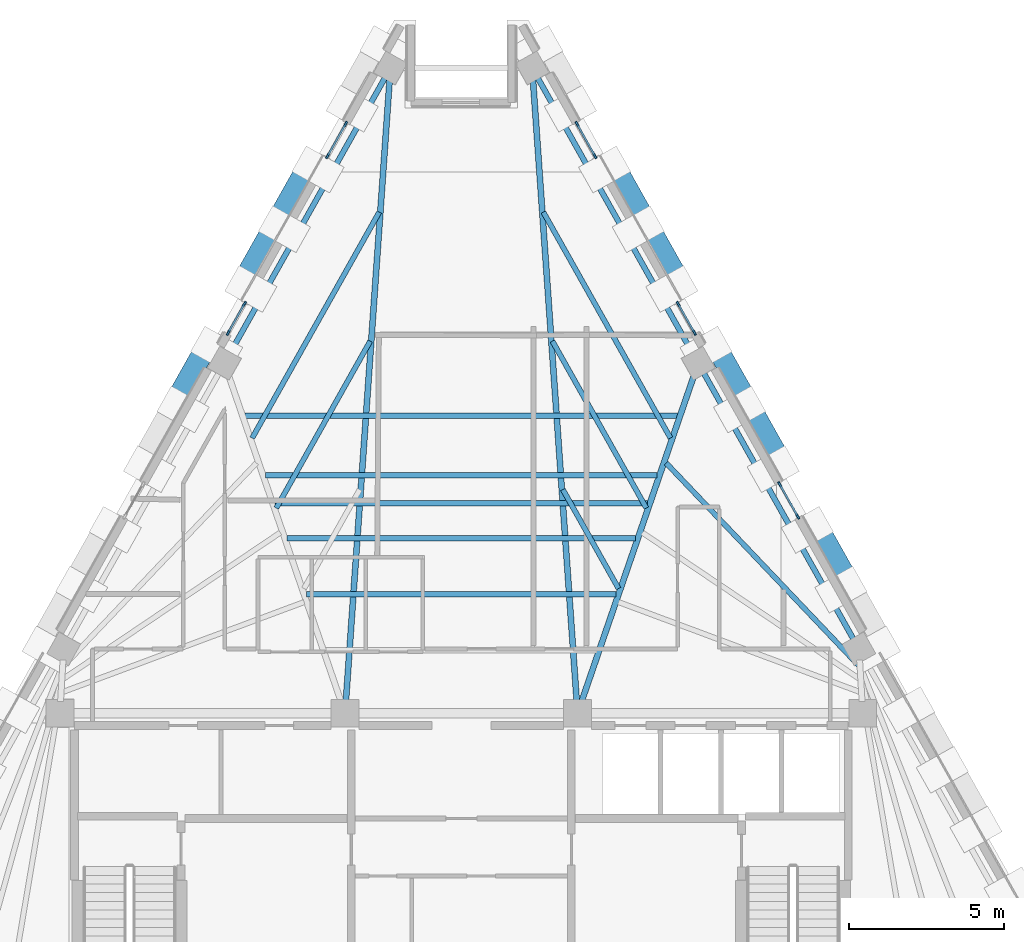
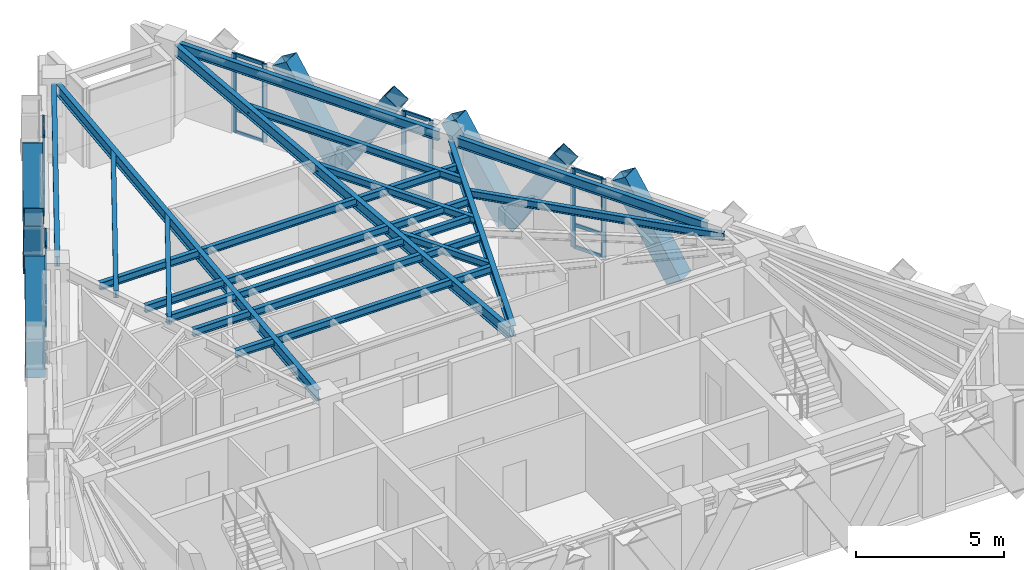
# One storey, part 3 of 9: 33 members, 17 beams, 5 elements without a shape of their own.
"""IFC4 building model written with IfcOpenShell, lengths in metres."""

from ifc_helpers import new_model, si_unit, direction, frame, origin, origin_2d, place, context, subcontext, project, spatial, rectangle, hollow_rectangle, i_section, extrude, material, material_profile, profile_set, type_object, element, aggregate, save


model = new_model("IFC4")

# Units and contexts
model_context = context("Model", 3, precision=1e-05, world=origin(), true_north=direction((0.0, 1.0)))
body_context = subcontext(model_context, "Body", "Model", "MODEL_VIEW")
ifc_project = project(units=[si_unit("LENGTHUNIT", "METRE"), si_unit("AREAUNIT", "SQUARE_METRE"), si_unit("VOLUMEUNIT", "CUBIC_METRE"), si_unit("PLANEANGLEUNIT", "RADIAN"), si_unit("MASSUNIT", "GRAM", prefix="KILO")], contexts=[model_context])

# Site, building, storey
site_placement = place(None, origin())
site = spatial("IfcSite", under=ifc_project, at=site_placement, CompositionType="ELEMENT")
building_placement = place(site_placement, origin())
building = spatial("IfcBuilding", under=site, at=building_placement, Name="Quenlor Broadcast Tower", CompositionType="ELEMENT")
storey_placement = place(building_placement, frame((0.0, 0.0, 249.89990234375)))
storey = spatial("IfcBuildingStorey", under=building, at=storey_placement, Name="L69", CompositionType="ELEMENT", Elevation=249.89990234375)

# Curtain wall, members
ifc_material_1 = material(Name="Architectural Terracotta and Low-E Glazing", Category="masonry")
curtain_wall_type = type_object("IfcCurtainWallType", Name="Unitised Terracotta Curtain Wall System Z5", PredefinedType="NOTDEFINED", material=ifc_material_1)
curtain_wall_1_placement = place(storey_placement, origin())
curtain_wall_1 = element("IfcCurtainWall", 1, at=curtain_wall_1_placement, inside=storey, type_object=curtain_wall_type, Name="L69 Curtain Wall CW5 (L69-NEA-G1)", PredefinedType="NOTDEFINED")
ifc_material_2 = material(Name="Aluminium 6063-T6", Category="aluminium")
ifc_material_profile_1 = material_profile(ifc_material_2, rectangle(XDim=0.06494140625, YDim=0.169921875, at=origin_2d()))
ifc_profile_set_1 = profile_set([ifc_material_profile_1], Name="Aluminium 6063-T6 MULL65x170")
member_type_1 = type_object("IfcMemberType", Name="CW5 Aluminium Mullion MULL_CW5", PredefinedType="MULLION", material=ifc_profile_set_1)
member_1_placement = place(storey_placement, frame((3.72802734375, 14.211669921875, 0.0), z_axis=(0.0, 0.0, 1.0), x_axis=(0.871558583916, 0.49029137745, 0.0)))
member_1 = element("IfcMember", 2, at=member_1_placement, type_object=member_type_1, Name="CW5 mullion 1", PredefinedType="MULLION", context=body_context, shape_type="SweptSolid", body=[
    extrude(rectangle(XDim=0.06494140625, YDim=0.169921875, at=origin_2d()), origin(), (0.0, 0.0, 1.0), 3.25),
])
member_2_placement = place(storey_placement, frame((4.31396484375, 13.169921875, 0.0), z_axis=(0.0, 0.0, 1.0), x_axis=(0.871558583916, 0.49029137745, 0.0)))
member_2 = element("IfcMember", 3, at=member_2_placement, type_object=member_type_1, Name="CW5 mullion 2", PredefinedType="MULLION", context=body_context, shape_type="SweptSolid", body=[
    extrude(rectangle(XDim=0.06494140625, YDim=0.169921875, at=origin_2d()), origin(), (0.0, 0.0, 1.0), 3.25),
])

curtain_wall_2_placement = place(storey_placement, origin())
curtain_wall_2 = element("IfcCurtainWall", 4, at=curtain_wall_2_placement, inside=storey, type_object=curtain_wall_type, Name="L69 Curtain Wall CW5 (L69-NEA-G2)", PredefinedType="NOTDEFINED")
member_3_placement = place(storey_placement, frame((6.99755859375, 8.39892578125, 0.0), z_axis=(0.0, 0.0, 1.0), x_axis=(0.871563693894, 0.490282293669, 0.0)))
member_3 = element("IfcMember", 5, at=member_3_placement, type_object=member_type_1, Name="CW5 mullion 1", PredefinedType="MULLION", context=body_context, shape_type="SweptSolid", body=[
    extrude(rectangle(XDim=0.06494140625, YDim=0.169921875, at=origin_2d()), origin(), (0.0, 0.0, 1.0), 3.25),
])
member_4_placement = place(storey_placement, frame((7.5185546875, 7.472900390625, 0.0), z_axis=(0.0, 0.0, 1.0), x_axis=(0.871563693894, 0.490282293669, 0.0)))
member_4 = element("IfcMember", 6, at=member_4_placement, type_object=member_type_1, Name="CW5 mullion 2", PredefinedType="MULLION", context=body_context, shape_type="SweptSolid", body=[
    extrude(rectangle(XDim=0.06494140625, YDim=0.169921875, at=origin_2d()), origin(), (0.0, 0.0, 1.0), 3.25),
])

curtain_wall_3_placement = place(storey_placement, origin())
curtain_wall_3 = element("IfcCurtainWall", 7, at=curtain_wall_3_placement, inside=storey, type_object=curtain_wall_type, Name="L69 Curtain Wall CW5 (L69-NE-G1)", PredefinedType="NOTDEFINED")
member_5_placement = place(storey_placement, frame((10.267333984375, 2.586181640625, 0.0), z_axis=(0.0, 0.0, 1.0), x_axis=(0.871592489955, 0.490231100048, 0.0)))
member_5 = element("IfcMember", 8, at=member_5_placement, type_object=member_type_1, Name="CW5 mullion 1", PredefinedType="MULLION", context=body_context, shape_type="SweptSolid", body=[
    extrude(rectangle(XDim=0.06494140625, YDim=0.169921875, at=origin_2d()), origin(), (0.0, 0.0, 1.0), 3.25),
])
member_6_placement = place(storey_placement, frame((10.853271484375, 1.54443359375, 0.0), z_axis=(0.0, 0.0, 1.0), x_axis=(0.871592489955, 0.490231100048, 0.0)))
member_6 = element("IfcMember", 9, at=member_6_placement, type_object=member_type_1, Name="CW5 mullion 2", PredefinedType="MULLION", context=body_context, shape_type="SweptSolid", body=[
    extrude(rectangle(XDim=0.06494140625, YDim=0.169921875, at=origin_2d()), origin(), (0.0, 0.0, 1.0), 3.25),
])

curtain_wall_4_placement = place(storey_placement, origin())
curtain_wall_4 = element("IfcCurtainWall", 10, at=curtain_wall_4_placement, inside=storey, type_object=curtain_wall_type, Name="L69 Curtain Wall CW5 (L69-NWC-G1)", PredefinedType="NOTDEFINED")
member_7_placement = place(storey_placement, frame((-7.5185546875, 7.472900390625, 0.0), z_axis=(0.0, 0.0, 1.0), x_axis=(-0.871563693894, 0.490282293669, 0.0)))
member_7 = element("IfcMember", 11, at=member_7_placement, type_object=member_type_1, Name="CW5 mullion 1", PredefinedType="MULLION", context=body_context, shape_type="SweptSolid", body=[
    extrude(rectangle(XDim=0.06494140625, YDim=0.169921875, at=origin_2d()), origin(), (0.0, 0.0, 1.0), 3.25),
])
member_8_placement = place(storey_placement, frame((-6.99755859375, 8.39892578125, 0.0), z_axis=(0.0, 0.0, 1.0), x_axis=(-0.871563693894, 0.490282293669, 0.0)))
member_8 = element("IfcMember", 12, at=member_8_placement, type_object=member_type_1, Name="CW5 mullion 2", PredefinedType="MULLION", context=body_context, shape_type="SweptSolid", body=[
    extrude(rectangle(XDim=0.06494140625, YDim=0.169921875, at=origin_2d()), origin(), (0.0, 0.0, 1.0), 3.25),
])

curtain_wall_5_placement = place(storey_placement, origin())
curtain_wall_5 = element("IfcCurtainWall", 13, at=curtain_wall_5_placement, inside=storey, type_object=curtain_wall_type, Name="L69 Curtain Wall CW5 (L69-NWC-G2)", PredefinedType="NOTDEFINED")
member_9_placement = place(storey_placement, frame((-4.31396484375, 13.169921875, 0.0), z_axis=(0.0, 0.0, 1.0), x_axis=(-0.871558583916, 0.49029137745, 0.0)))
member_9 = element("IfcMember", 14, at=member_9_placement, type_object=member_type_1, Name="CW5 mullion 1", PredefinedType="MULLION", context=body_context, shape_type="SweptSolid", body=[
    extrude(rectangle(XDim=0.06494140625, YDim=0.169921875, at=origin_2d()), origin(), (0.0, 0.0, 1.0), 3.25),
])
member_10_placement = place(storey_placement, frame((-3.72802734375, 14.211669921875, 0.0), z_axis=(0.0, 0.0, 1.0), x_axis=(-0.871558583916, 0.49029137745, 0.0)))
member_10 = element("IfcMember", 15, at=member_10_placement, type_object=member_type_1, Name="CW5 mullion 2", PredefinedType="MULLION", context=body_context, shape_type="SweptSolid", body=[
    extrude(rectangle(XDim=0.06494140625, YDim=0.169921875, at=origin_2d()), origin(), (0.0, 0.0, 1.0), 3.25),
])

# Member
ifc_material_3 = material(Name="Aluminium 6063-T6", Category="aluminium")
ifc_material_profile_2 = material_profile(ifc_material_3, rectangle(XDim=0.06494140625, YDim=0.139892578125, at=origin_2d()))
ifc_profile_set_2 = profile_set([ifc_material_profile_2], Name="Aluminium 6063-T6 TRAN65x140")
member_type_2 = type_object("IfcMemberType", Name="CW5 Aluminium Transom TRAN_CW5", PredefinedType="USERDEFINED", material=ifc_profile_set_2)
member_11_placement = place(storey_placement, frame((3.743896484375, 14.183349609375, 0.03271484375), z_axis=(0.490312513966, -0.871546693327, 0.0), x_axis=(0.871546693327, 0.490312513966, 0.0)))
member_11 = element("IfcMember", 16, at=member_11_placement, type_object=member_type_2, Name="CW5 transom 1.1", ObjectType="TRANSOM", PredefinedType="USERDEFINED", context=body_context, shape_type="SweptSolid", body=[
    extrude(rectangle(XDim=0.06494140625, YDim=0.139892578125, at=origin_2d()), origin(), (0.0, 0.0, 1.0), 1.13037109375),
])

member_12_placement = place(storey_placement, frame((3.743896484375, 14.183349609375, 0.9501953125), z_axis=(0.490312513966, -0.871546693327, 0.0), x_axis=(0.871546693327, 0.490312513966, 0.0)))
member_12 = element("IfcMember", 17, at=member_12_placement, type_object=member_type_2, Name="CW5 transom 1.2", ObjectType="TRANSOM", PredefinedType="USERDEFINED", context=body_context, shape_type="SweptSolid", body=[
    extrude(rectangle(XDim=0.06494140625, YDim=0.139892578125, at=origin_2d()), origin(), (0.0, 0.0, 1.0), 1.13037109375),
])

member_13_placement = place(storey_placement, frame((3.743896484375, 14.183349609375, 3.217529296875), z_axis=(0.490312513966, -0.871546693327, 0.0), x_axis=(0.871546693327, 0.490312513966, 0.0)))
member_13 = element("IfcMember", 18, at=member_13_placement, type_object=member_type_2, Name="CW5 transom 1.3", ObjectType="TRANSOM", PredefinedType="USERDEFINED", context=body_context, shape_type="SweptSolid", body=[
    extrude(rectangle(XDim=0.06494140625, YDim=0.139892578125, at=origin_2d()), origin(), (0.0, 0.0, 1.0), 1.13037109375),
])

aggregate(curtain_wall_1, [member_1, member_2, member_11, member_12, member_13])

member_14_placement = place(storey_placement, frame((7.013427734375, 8.37060546875, 0.03271484375), z_axis=(0.490249619047, -0.871582073602, 0.0), x_axis=(0.871582073602, 0.490249619047, 0.0)))
member_14 = element("IfcMember", 19, at=member_14_placement, type_object=member_type_2, Name="CW5 transom 1.1", ObjectType="TRANSOM", PredefinedType="USERDEFINED", context=body_context, shape_type="SweptSolid", body=[
    extrude(rectangle(XDim=0.06494140625, YDim=0.139892578125, at=origin_2d()), origin(), (0.0, 0.0, 1.0), 0.99755859375),
])

member_15_placement = place(storey_placement, frame((7.013427734375, 8.37060546875, 0.9501953125), z_axis=(0.490249619047, -0.871582073602, 0.0), x_axis=(0.871582073602, 0.490249619047, 0.0)))
member_15 = element("IfcMember", 20, at=member_15_placement, type_object=member_type_2, Name="CW5 transom 1.2", ObjectType="TRANSOM", PredefinedType="USERDEFINED", context=body_context, shape_type="SweptSolid", body=[
    extrude(rectangle(XDim=0.06494140625, YDim=0.139892578125, at=origin_2d()), origin(), (0.0, 0.0, 1.0), 0.99755859375),
])

member_16_placement = place(storey_placement, frame((7.013427734375, 8.37060546875, 3.217529296875), z_axis=(0.490249619047, -0.871582073602, 0.0), x_axis=(0.871582073602, 0.490249619047, 0.0)))
member_16 = element("IfcMember", 21, at=member_16_placement, type_object=member_type_2, Name="CW5 transom 1.3", ObjectType="TRANSOM", PredefinedType="USERDEFINED", context=body_context, shape_type="SweptSolid", body=[
    extrude(rectangle(XDim=0.06494140625, YDim=0.139892578125, at=origin_2d()), origin(), (0.0, 0.0, 1.0), 0.99755859375),
])

aggregate(curtain_wall_2, [member_3, member_4, member_14, member_15, member_16])

member_17_placement = place(storey_placement, frame((10.283203125, 2.557861328125, 0.03271484375), z_axis=(0.490312513966, -0.871546693327, 0.0), x_axis=(0.871546693327, 0.490312513966, 0.0)))
member_17 = element("IfcMember", 22, at=member_17_placement, type_object=member_type_2, Name="CW5 transom 1.1", ObjectType="TRANSOM", PredefinedType="USERDEFINED", context=body_context, shape_type="SweptSolid", body=[
    extrude(rectangle(XDim=0.06494140625, YDim=0.139892578125, at=origin_2d()), origin(), (0.0, 0.0, 1.0), 1.13037109375),
])

member_18_placement = place(storey_placement, frame((10.283203125, 2.557861328125, 0.9501953125), z_axis=(0.490312513966, -0.871546693327, 0.0), x_axis=(0.871546693327, 0.490312513966, 0.0)))
member_18 = element("IfcMember", 23, at=member_18_placement, type_object=member_type_2, Name="CW5 transom 1.2", ObjectType="TRANSOM", PredefinedType="USERDEFINED", context=body_context, shape_type="SweptSolid", body=[
    extrude(rectangle(XDim=0.06494140625, YDim=0.139892578125, at=origin_2d()), origin(), (0.0, 0.0, 1.0), 1.13037109375),
])

member_19_placement = place(storey_placement, frame((10.283203125, 2.557861328125, 3.217529296875), z_axis=(0.490312513966, -0.871546693327, 0.0), x_axis=(0.871546693327, 0.490312513966, 0.0)))
member_19 = element("IfcMember", 24, at=member_19_placement, type_object=member_type_2, Name="CW5 transom 1.3", ObjectType="TRANSOM", PredefinedType="USERDEFINED", context=body_context, shape_type="SweptSolid", body=[
    extrude(rectangle(XDim=0.06494140625, YDim=0.139892578125, at=origin_2d()), origin(), (0.0, 0.0, 1.0), 1.13037109375),
])

aggregate(curtain_wall_3, [member_5, member_6, member_17, member_18, member_19])

member_20_placement = place(storey_placement, frame((-7.50244140625, 7.501220703125, 0.03271484375), z_axis=(0.490249619047, 0.871582073602, 0.0), x_axis=(-0.871582073602, 0.490249619047, 0.0)))
member_20 = element("IfcMember", 25, at=member_20_placement, type_object=member_type_2, Name="CW5 transom 1.1", ObjectType="TRANSOM", PredefinedType="USERDEFINED", context=body_context, shape_type="SweptSolid", body=[
    extrude(rectangle(XDim=0.06494140625, YDim=0.139892578125, at=origin_2d()), origin(), (0.0, 0.0, 1.0), 0.99755859375),
])

member_21_placement = place(storey_placement, frame((-7.50244140625, 7.501220703125, 0.9501953125), z_axis=(0.490249619047, 0.871582073602, 0.0), x_axis=(-0.871582073602, 0.490249619047, 0.0)))
member_21 = element("IfcMember", 26, at=member_21_placement, type_object=member_type_2, Name="CW5 transom 1.2", ObjectType="TRANSOM", PredefinedType="USERDEFINED", context=body_context, shape_type="SweptSolid", body=[
    extrude(rectangle(XDim=0.06494140625, YDim=0.139892578125, at=origin_2d()), origin(), (0.0, 0.0, 1.0), 0.99755859375),
])

member_22_placement = place(storey_placement, frame((-7.50244140625, 7.501220703125, 3.217529296875), z_axis=(0.490249619047, 0.871582073602, 0.0), x_axis=(-0.871582073602, 0.490249619047, 0.0)))
member_22 = element("IfcMember", 27, at=member_22_placement, type_object=member_type_2, Name="CW5 transom 1.3", ObjectType="TRANSOM", PredefinedType="USERDEFINED", context=body_context, shape_type="SweptSolid", body=[
    extrude(rectangle(XDim=0.06494140625, YDim=0.139892578125, at=origin_2d()), origin(), (0.0, 0.0, 1.0), 0.99755859375),
])

aggregate(curtain_wall_4, [member_7, member_8, member_20, member_21, member_22])

member_23_placement = place(storey_placement, frame((-4.298095703125, 13.1982421875, 0.03271484375), z_axis=(0.490312513966, 0.871546693327, 0.0), x_axis=(-0.871546693327, 0.490312513966, 0.0)))
member_23 = element("IfcMember", 28, at=member_23_placement, type_object=member_type_2, Name="CW5 transom 1.1", ObjectType="TRANSOM", PredefinedType="USERDEFINED", context=body_context, shape_type="SweptSolid", body=[
    extrude(rectangle(XDim=0.06494140625, YDim=0.139892578125, at=origin_2d()), origin(), (0.0, 0.0, 1.0), 1.13037109375),
])

member_24_placement = place(storey_placement, frame((-4.298095703125, 13.1982421875, 0.9501953125), z_axis=(0.490312513966, 0.871546693327, 0.0), x_axis=(-0.871546693327, 0.490312513966, 0.0)))
member_24 = element("IfcMember", 29, at=member_24_placement, type_object=member_type_2, Name="CW5 transom 1.2", ObjectType="TRANSOM", PredefinedType="USERDEFINED", context=body_context, shape_type="SweptSolid", body=[
    extrude(rectangle(XDim=0.06494140625, YDim=0.139892578125, at=origin_2d()), origin(), (0.0, 0.0, 1.0), 1.13037109375),
])

member_25_placement = place(storey_placement, frame((-4.298095703125, 13.1982421875, 3.217529296875), z_axis=(0.490312513966, 0.871546693327, 0.0), x_axis=(-0.871546693327, 0.490312513966, 0.0)))
member_25 = element("IfcMember", 30, at=member_25_placement, type_object=member_type_2, Name="CW5 transom 1.3", ObjectType="TRANSOM", PredefinedType="USERDEFINED", context=body_context, shape_type="SweptSolid", body=[
    extrude(rectangle(XDim=0.06494140625, YDim=0.139892578125, at=origin_2d()), origin(), (0.0, 0.0, 1.0), 1.13037109375),
])

aggregate(curtain_wall_5, [member_9, member_10, member_23, member_24, member_25])

# Members
ifc_material_4 = material(Name="Steel S355", Category="steel")
ifc_material_profile_3 = material_profile(ifc_material_4, hollow_rectangle(XDim=0.679931640625, YDim=0.679931640625, WallThickness=0.02001953125, at=origin_2d()))
ifc_profile_set_3 = profile_set([ifc_material_profile_3], Name="Steel S355 RHS680x680x20")
member_type_3 = type_object("IfcMemberType", Name="Perimeter Diagonal Lattice Brace Z5-Crown Steel S355 RHS680x20", PredefinedType="BRACE", material=ifc_profile_set_3)
for number, where, z_axis, x_axis, name in (
    (31, (5.993408203125, 10.98974609375, -0.119873046875), (-0.260563732169, 0.463283497491, 0.847038926161), (-0.871602253711, -0.49021374045, 0.0), "L69 Perimeter Diamond Lattice NE-C1B"),
    (32, (6.006591796875, 10.96630859375, -0.119873046875), (0.260618804175, -0.463276364439, 0.847025884529), (0.8715547569, 0.490298180422, 0.0), "L69 Perimeter Diamond Lattice NE-C2S"),
    (33, (9.26318359375, 5.177001953125, -0.119873046875), (-0.260618804175, 0.463276364439, 0.847025884529), (-0.8715547569, -0.490298180422, 0.0), "L69 Perimeter Diamond Lattice NE-C2B"),
    (34, (9.2763671875, 5.153564453125, -0.119873046875), (0.260563732169, -0.463283497491, 0.847038926161), (0.871602253711, 0.49021374045, 0.0), "L69 Perimeter Diamond Lattice NE-C3S"),
    (35, (12.532958984375, -0.635986328125, -0.119873046875), (-0.260618804175, 0.463276364439, 0.847025884529), (-0.8715547569, -0.490298180422, 0.0), "L69 Perimeter Diamond Lattice NE-C3B"),
    (36, (-9.26318359375, 5.177001953125, -0.119873046875), (0.260618804175, 0.463276364439, 0.847025884529), (-0.8715547569, 0.490298180422, 0.0), "L69 Perimeter Diamond Lattice NW-C4S"),
    (37, (-6.006591796875, 10.96630859375, -0.119873046875), (-0.260618804175, -0.463276364439, 0.847025884529), (0.8715547569, -0.490298180422, 0.0), "L69 Perimeter Diamond Lattice NW-C4B"),
    (38, (-5.993408203125, 10.98974609375, -0.119873046875), (0.260563732169, 0.463283497491, 0.847038926161), (-0.871602253711, 0.49021374045, 0.0), "L69 Perimeter Diamond Lattice NW-C5S"),
):
    element("IfcMember", number, at=place(storey_placement, frame(where, z_axis=z_axis, x_axis=x_axis)), inside=storey, type_object=member_type_3, Name=name, PredefinedType="BRACE", context=body_context, shape_type="SweptSolid", body=[
        extrude(hollow_rectangle(XDim=0.679931640625, YDim=0.679931640625, WallThickness=0.02001953125, at=origin_2d()), origin(), (0.0, 0.0, 1.0), 4.132080078125),
    ])

# Beams
ifc_material_5 = material(Name="Steel S355", Category="steel")
ifc_material_profile_4 = material_profile(ifc_material_5, i_section(OverallWidth=0.177978515625, OverallDepth=0.406494140625, WebThickness=0.0078125, FlangeThickness=0.0126953125, FilletRadius=0.011474609375, at=origin_2d()))
ifc_profile_set_4 = profile_set([ifc_material_profile_4], Name="Steel S355 410UB59.7")
beam_type_1 = type_object("IfcBeamType", Name="Perimeter Spandrel Beam Z5 Steel S355 410UB59.7", PredefinedType="SPANDREL", material=ifc_profile_set_4)
beam_1_placement = place(storey_placement, frame((12.64892578125, -2.412841796875, 3.046875), z_axis=(-0.49024947634, 0.871582153872, 0.0), x_axis=(-0.871582153872, -0.49024947634, 0.0)))
element("IfcBeam", 39, at=beam_1_placement, inside=storey, type_object=beam_type_1, Name="L69 Spandrel Beam NE2-NE3", PredefinedType="SPANDREL", context=body_context, shape_type="SweptSolid", body=[
    extrude(i_section(OverallWidth=0.177978515625, OverallDepth=0.406494140625, WebThickness=0.0078125, FlangeThickness=0.0126953125, FilletRadius=0.011474609375, at=origin_2d()), origin(), (0.0, 0.0, 1.0), 9.853759765625),
])
for number, where, z_axis, x_axis, name in (
    (40, (7.465087890625, 6.802978515625, 3.046875), (-0.490264646634, 0.871573620677, 0.0), (-0.871573620677, -0.490264646634, 0.0), "L69 Spandrel Beam NE3-NE4"),
    (41, (-2.461181640625, 15.69873046875, 3.046875), (-0.490264646634, -0.871573620677, 0.0), (0.871573620677, -0.490264646634, 0.0), "L69 Spandrel Beam NW1-NW2"),
):
    element("IfcBeam", number, at=place(storey_placement, frame(where, z_axis=z_axis, x_axis=x_axis)), inside=storey, type_object=beam_type_1, Name=name, PredefinedType="SPANDREL", context=body_context, shape_type="SweptSolid", body=[
        extrude(i_section(OverallWidth=0.177978515625, OverallDepth=0.406494140625, WebThickness=0.0078125, FlangeThickness=0.0126953125, FilletRadius=0.011474609375, at=origin_2d()), origin(), (0.0, 0.0, 1.0), 10.20654296875),
    ])
ifc_material_6 = material(Name="Steel S355", Category="steel")
ifc_material_profile_5 = material_profile(ifc_material_6, i_section(OverallWidth=0.166015625, OverallDepth=0.30712890625, WebThickness=0.006591796875, FlangeThickness=0.01171875, FilletRadius=0.011474609375, at=origin_2d()))
ifc_profile_set_5 = profile_set([ifc_material_profile_5], Name="Steel S355 310UB46.2")
beam_type_2 = type_object("IfcBeamType", Name="Tower Composite Joist Z4-Z5 Steel S355 310UB46.2", PredefinedType="JOIST", material=ifc_profile_set_5)
beam_2_placement = place(storey_placement, frame((-6.0048828125, 1.9736328125, 3.096435546875), z_axis=(1.0, 0.0, 0.0), x_axis=(0.0, 1.0, 0.0)))
element("IfcBeam", 42, at=beam_2_placement, inside=storey, type_object=beam_type_2, Name="L69 Secondary Composite Joist 2", PredefinedType="JOIST", context=body_context, shape_type="SweptSolid", body=[
    extrude(i_section(OverallWidth=0.166015625, OverallDepth=0.30712890625, WebThickness=0.006591796875, FlangeThickness=0.01171875, FilletRadius=0.011474609375, at=origin_2d()), origin(), (0.0, 0.0, 1.0), 12.009765625),
])
beam_3_placement = place(storey_placement, frame((-4.9931640625, -0.961669921875, 3.096435546875), z_axis=(1.0, 0.0, 0.0), x_axis=(0.0, 1.0, 0.0)))
element("IfcBeam", 43, at=beam_3_placement, inside=storey, type_object=beam_type_2, Name="L69 Secondary Composite Joist 3", PredefinedType="JOIST", context=body_context, shape_type="SweptSolid", body=[
    extrude(i_section(OverallWidth=0.166015625, OverallDepth=0.30712890625, WebThickness=0.006591796875, FlangeThickness=0.01171875, FilletRadius=0.011474609375, at=origin_2d()), origin(), (0.0, 0.0, 1.0), 9.986328125),
])
beam_4_placement = place(storey_placement, frame((-5.61572265625, 0.8447265625, 3.096435546875), z_axis=(1.0, 0.0, 0.0), x_axis=(0.0, 1.0, 0.0)))
element("IfcBeam", 44, at=beam_4_placement, inside=storey, type_object=beam_type_2, Name="L69 Secondary Composite Joist 4", PredefinedType="JOIST", context=body_context, shape_type="SweptSolid", body=[
    extrude(i_section(OverallWidth=0.166015625, OverallDepth=0.30712890625, WebThickness=0.006591796875, FlangeThickness=0.01171875, FilletRadius=0.011474609375, at=origin_2d()), origin(), (0.0, 0.0, 1.0), 11.2314453125),
])
beam_5_placement = place(storey_placement, frame((-6.316162109375, 2.876708984375, 3.096435546875), z_axis=(1.0, 0.0, 0.0), x_axis=(0.0, 1.0, 0.0)))
element("IfcBeam", 45, at=beam_5_placement, inside=storey, type_object=beam_type_2, Name="L69 Secondary Composite Joist 5", PredefinedType="JOIST", context=body_context, shape_type="SweptSolid", body=[
    extrude(i_section(OverallWidth=0.166015625, OverallDepth=0.30712890625, WebThickness=0.006591796875, FlangeThickness=0.01171875, FilletRadius=0.011474609375, at=origin_2d()), origin(), (0.0, 0.0, 1.0), 12.63232421875),
])
beam_6_placement = place(storey_placement, frame((-6.977783203125, 4.7958984375, 3.096435546875), z_axis=(1.0, 0.0, 0.0), x_axis=(0.0, 1.0, 0.0)))
element("IfcBeam", 46, at=beam_6_placement, inside=storey, type_object=beam_type_2, Name="L69 Secondary Composite Joist 6", PredefinedType="JOIST", context=body_context, shape_type="SweptSolid", body=[
    extrude(i_section(OverallWidth=0.166015625, OverallDepth=0.30712890625, WebThickness=0.006591796875, FlangeThickness=0.01171875, FilletRadius=0.011474609375, at=origin_2d()), origin(), (0.0, 0.0, 1.0), 13.95556640625),
])
beam_7_placement = place(storey_placement, frame((12.80517578125, -3.249267578125, 3.096435546875), z_axis=(-0.689023306429, 0.724739182877, 0.0), x_axis=(-0.724739182877, -0.689023306429, 0.0)))
element("IfcBeam", 47, at=beam_7_placement, inside=storey, type_object=beam_type_2, Name="L69 Secondary Composite Joist 12", PredefinedType="JOIST", context=body_context, shape_type="SweptSolid", body=[
    extrude(i_section(OverallWidth=0.166015625, OverallDepth=0.30712890625, WebThickness=0.006591796875, FlangeThickness=0.01171875, FilletRadius=0.011474609375, at=origin_2d()), origin(), (0.0, 0.0, 1.0), 8.99560546875),
])
beam_8_placement = place(storey_placement, frame((-2.939208984375, 7.201416015625, 3.096435546875), z_axis=(-0.490266868828, -0.871572370678, 0.0), x_axis=(0.871572370678, -0.490266868828, 0.0)))
element("IfcBeam", 48, at=beam_8_placement, inside=storey, type_object=beam_type_2, Name="L69 Secondary Composite Joist 26", PredefinedType="JOIST", context=body_context, shape_type="SweptSolid", body=[
    extrude(i_section(OverallWidth=0.166015625, OverallDepth=0.30712890625, WebThickness=0.006591796875, FlangeThickness=0.01171875, FilletRadius=0.011474609375, at=origin_2d()), origin(), (0.0, 0.0, 1.0), 6.177490234375),
])
beam_9_placement = place(storey_placement, frame((-2.646240234375, 11.364013671875, 3.096435546875), z_axis=(-0.490264011812, -0.871573977768, 0.0), x_axis=(0.871573977768, -0.490264011812, 0.0)))
element("IfcBeam", 49, at=beam_9_placement, inside=storey, type_object=beam_type_2, Name="L69 Secondary Composite Joist 27", PredefinedType="JOIST", context=body_context, shape_type="SweptSolid", body=[
    extrude(i_section(OverallWidth=0.166015625, OverallDepth=0.30712890625, WebThickness=0.006591796875, FlangeThickness=0.01171875, FilletRadius=0.011474609375, at=origin_2d()), origin(), (0.0, 0.0, 1.0), 8.362548828125),
])
beam_10_placement = place(storey_placement, frame((3.2763671875, 2.41455078125, 3.096435546875), z_axis=(0.490258076222, -0.871577316535, 0.0), x_axis=(0.871577316535, 0.490258076222, 0.0)))
element("IfcBeam", 50, at=beam_10_placement, inside=storey, type_object=beam_type_2, Name="L69 Secondary Composite Joist 28", PredefinedType="JOIST", context=body_context, shape_type="SweptSolid", body=[
    extrude(i_section(OverallWidth=0.166015625, OverallDepth=0.30712890625, WebThickness=0.006591796875, FlangeThickness=0.01171875, FilletRadius=0.011474609375, at=origin_2d()), origin(), (0.0, 0.0, 1.0), 3.6640625),
])
beam_11_placement = place(storey_placement, frame((2.939208984375, 7.201416015625, 3.096435546875), z_axis=(0.490266868828, -0.871572370678, 0.0), x_axis=(0.871572370678, 0.490266868828, 0.0)))
element("IfcBeam", 51, at=beam_11_placement, inside=storey, type_object=beam_type_2, Name="L69 Secondary Composite Joist 29", PredefinedType="JOIST", context=body_context, shape_type="SweptSolid", body=[
    extrude(i_section(OverallWidth=0.166015625, OverallDepth=0.30712890625, WebThickness=0.006591796875, FlangeThickness=0.01171875, FilletRadius=0.011474609375, at=origin_2d()), origin(), (0.0, 0.0, 1.0), 6.177490234375),
])
beam_12_placement = place(storey_placement, frame((2.646240234375, 11.364013671875, 3.096435546875), z_axis=(0.490264011812, -0.871573977768, 0.0), x_axis=(0.871573977768, 0.490264011812, 0.0)))
element("IfcBeam", 52, at=beam_12_placement, inside=storey, type_object=beam_type_2, Name="L69 Secondary Composite Joist 30", PredefinedType="JOIST", context=body_context, shape_type="SweptSolid", body=[
    extrude(i_section(OverallWidth=0.166015625, OverallDepth=0.30712890625, WebThickness=0.006591796875, FlangeThickness=0.01171875, FilletRadius=0.011474609375, at=origin_2d()), origin(), (0.0, 0.0, 1.0), 8.362548828125),
])
ifc_material_7 = material(Name="Steel S355", Category="steel")
ifc_material_profile_6 = material_profile(ifc_material_7, i_section(OverallWidth=0.19091796875, OverallDepth=0.46044921875, WebThickness=0.010009765625, FlangeThickness=0.01611328125, FilletRadius=0.011474609375, at=origin_2d()))
ifc_profile_set_6 = profile_set([ifc_material_profile_6], Name="Steel S355 460UB82.1")
beam_type_3 = type_object("IfcBeamType", Name="Tower Primary Floor Beam Z5 Steel S355 460UB82.1", PredefinedType="BEAM", material=ifc_profile_set_6)
beam_13_placement = place(storey_placement, frame((7.524169921875, 6.14892578125, 3.02001953125), z_axis=(-0.325895297662, -0.945405867848, 0.0), x_axis=(0.945405867848, -0.325895297662, 0.0)))
element("IfcBeam", 53, at=beam_13_placement, inside=storey, type_object=beam_type_3, Name="L69 Primary Radial Beam NE3", PredefinedType="BEAM", context=body_context, shape_type="SweptSolid", body=[
    extrude(i_section(OverallWidth=0.19091796875, OverallDepth=0.46044921875, WebThickness=0.010009765625, FlangeThickness=0.01611328125, FilletRadius=0.011474609375, at=origin_2d()), origin(), (0.0, 0.0, 1.0), 11.201171875),
])
for number, where, z_axis, x_axis, name in (
    (54, (2.31005859375, 15.6533203125, 3.02001953125), (0.070231384782, -0.997530727643, 0.0), (0.997530727643, 0.070231384782, 0.0), "L69 Primary Radial Beam NE4"),
    (55, (-2.31005859375, 15.6533203125, 3.02001953125), (-0.070231384782, -0.997530727643, 0.0), (0.997530727643, -0.070231384782, 0.0), "L69 Primary Radial Beam NW1"),
):
    element("IfcBeam", number, at=place(storey_placement, frame(where, z_axis=z_axis, x_axis=x_axis)), inside=storey, type_object=beam_type_3, Name=name, PredefinedType="BEAM", context=body_context, shape_type="SweptSolid", body=[
        extrude(i_section(OverallWidth=0.19091796875, OverallDepth=0.46044921875, WebThickness=0.010009765625, FlangeThickness=0.01611328125, FilletRadius=0.011474609375, at=origin_2d()), origin(), (0.0, 0.0, 1.0), 20.1240234375),
    ])

save(model, "model.ifc")
